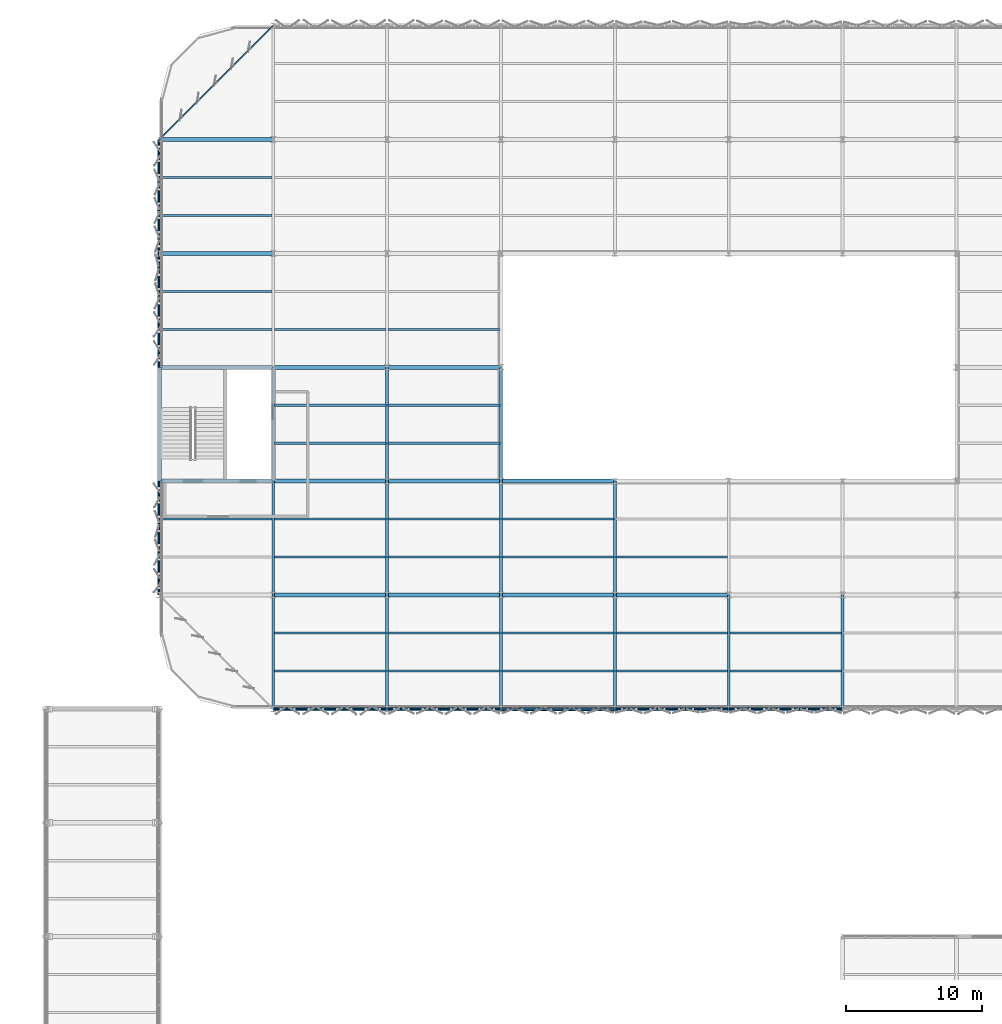
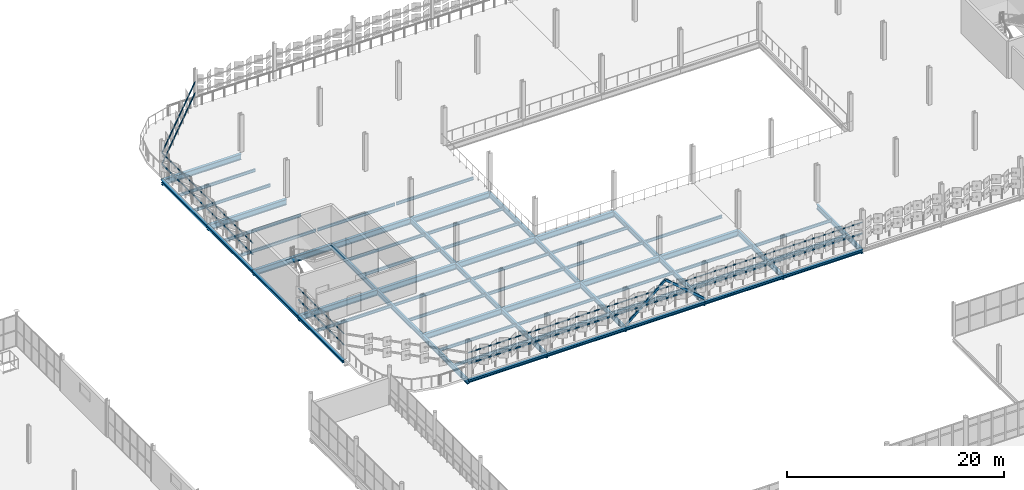
# One storey, part 90 of 163: 81 beams, 2 members.
"""IFC4 building model written with IfcOpenShell, lengths in metres."""

from ifc_helpers import new_model, si_unit, direction, frame, origin, origin_2d, place, context, subcontext, project, spatial, hollow_rectangle, i_section, extrude, material, material_profile, profile_set, type_object, element, save


model = new_model("IFC4")

# Units and contexts
model_context = context("Model", 3, precision=1e-05, world=origin(), true_north=direction((0.0, 1.0)))
body_context = subcontext(model_context, "Body", "Model", "MODEL_VIEW")
ifc_project = project(units=[si_unit("LENGTHUNIT", "METRE"), si_unit("AREAUNIT", "SQUARE_METRE"), si_unit("VOLUMEUNIT", "CUBIC_METRE"), si_unit("PLANEANGLEUNIT", "RADIAN"), si_unit("MASSUNIT", "GRAM", prefix="KILO")], contexts=[model_context])

# Site, building, storey
site_placement = place(None, origin())
site = spatial("IfcSite", under=ifc_project, at=site_placement, CompositionType="ELEMENT")
building_placement = place(site_placement, origin())
building = spatial("IfcBuilding", under=site, at=building_placement, Name="Qalvenar Corner Mobility Hub", CompositionType="ELEMENT")
storey_placement = place(building_placement, frame((0.0, 0.0, 4.800048828125)))
storey = spatial("IfcBuildingStorey", under=building, at=storey_placement, Name="L01", CompositionType="ELEMENT", Elevation=4.800048828125)

# Beams
ifc_material = material(Name="Steel S355", Category="steel")
ifc_material_profile_1 = material_profile(ifc_material, i_section(OverallWidth=0.300048828125, OverallDepth=0.639892578125, WebThickness=0.013427734375, FlangeThickness=0.02587890625, FilletRadius=0.027099609375, at=origin_2d()), Name="HEA650")
ifc_profile_set_1 = profile_set([ifc_material_profile_1], Name="Steel S355")
beam_type_1 = type_object("IfcBeamType", Name="BM-HEA650", PredefinedType="BEAM", material=ifc_profile_set_1)
beam_1_placement = place(storey_placement, frame((67.199951171875, 75.60009765625, -0.56005859375), z_axis=(1.0, 0.0, 0.0), x_axis=(0.0, 1.0, 0.0)))
element("IfcBeam", 1, at=beam_1_placement, inside=storey, type_object=beam_type_1, Name="Primary Steel Girder GX-1265", PredefinedType="BEAM", context=body_context, shape_type="SweptSolid", body=[
    extrude(i_section(OverallWidth=0.300048828125, OverallDepth=0.639892578125, WebThickness=0.013427734375, FlangeThickness=0.02587890625, FilletRadius=0.027099609375, at=origin_2d()), origin(), (0.0, 0.0, 1.0), 8.400146484375),
])
for number, where, z_axis, x_axis, name in (
    (2, (75.60009765625, 75.60009765625, -0.56005859375), (1.0, 0.0, 0.0), (0.0, 1.0, 0.0), "Primary Steel Girder GX-1266"),
    (3, (84.0, 75.60009765625, -0.56005859375), (1.0, 0.0, 0.0), (0.0, 1.0, 0.0), "Primary Steel Girder GX-1267"),
):
    element("IfcBeam", number, at=place(storey_placement, frame(where, z_axis=z_axis, x_axis=x_axis)), inside=storey, type_object=beam_type_1, Name=name, PredefinedType="BEAM", context=body_context, shape_type="SweptSolid", body=[
        extrude(i_section(OverallWidth=0.300048828125, OverallDepth=0.639892578125, WebThickness=0.013427734375, FlangeThickness=0.02587890625, FilletRadius=0.027099609375, at=origin_2d()), origin(), (0.0, 0.0, 1.0), 8.39990234375),
    ])
beam_2_placement = place(storey_placement, frame((92.39990234375, 75.60009765625, -0.56005859375), z_axis=(1.0, 0.0, 0.0), x_axis=(0.0, 1.0, 0.0)))
element("IfcBeam", 4, at=beam_2_placement, inside=storey, type_object=beam_type_1, Name="Primary Steel Girder GX-1268", PredefinedType="BEAM", context=body_context, shape_type="SweptSolid", body=[
    extrude(i_section(OverallWidth=0.300048828125, OverallDepth=0.639892578125, WebThickness=0.013427734375, FlangeThickness=0.02587890625, FilletRadius=0.027099609375, at=origin_2d()), origin(), (0.0, 0.0, 1.0), 8.400146484375),
])
beam_3_placement = place(storey_placement, frame((58.800048828125, 84.0, -0.56005859375), z_axis=(1.0, 0.0, 0.0), x_axis=(0.0, 1.0, 0.0)))
element("IfcBeam", 5, at=beam_3_placement, inside=storey, type_object=beam_type_1, Name="Primary Steel Girder GX-1274", PredefinedType="BEAM", context=body_context, shape_type="SweptSolid", body=[
    extrude(i_section(OverallWidth=0.300048828125, OverallDepth=0.639892578125, WebThickness=0.013427734375, FlangeThickness=0.02587890625, FilletRadius=0.027099609375, at=origin_2d()), origin(), (0.0, 0.0, 1.0), 8.39990234375),
])
beam_4_placement = place(storey_placement, frame((67.199951171875, 84.0, -0.56005859375), z_axis=(1.0, 0.0, 0.0), x_axis=(0.0, 1.0, 0.0)))
element("IfcBeam", 6, at=beam_4_placement, inside=storey, type_object=beam_type_1, Name="Primary Steel Girder GX-1275", PredefinedType="BEAM", context=body_context, shape_type="SweptSolid", body=[
    extrude(i_section(OverallWidth=0.300048828125, OverallDepth=0.639892578125, WebThickness=0.013427734375, FlangeThickness=0.02587890625, FilletRadius=0.027099609375, at=origin_2d()), origin(), (0.0, 0.0, 1.0), 8.400146484375),
])
for number, where, z_axis, x_axis, name in (
    (7, (75.60009765625, 84.0, -0.56005859375), (1.0, 0.0, 0.0), (0.0, 1.0, 0.0), "Primary Steel Girder GX-1276"),
    (8, (84.0, 84.0, -0.56005859375), (1.0, 0.0, 0.0), (0.0, 1.0, 0.0), "Primary Steel Girder GX-1277"),
    (9, (58.800048828125, 92.39990234375, -0.56005859375), (1.0, 0.0, 0.0), (0.0, 1.0, 0.0), "Primary Steel Girder GX-1284"),
):
    element("IfcBeam", number, at=place(storey_placement, frame(where, z_axis=z_axis, x_axis=x_axis)), inside=storey, type_object=beam_type_1, Name=name, PredefinedType="BEAM", context=body_context, shape_type="SweptSolid", body=[
        extrude(i_section(OverallWidth=0.300048828125, OverallDepth=0.639892578125, WebThickness=0.013427734375, FlangeThickness=0.02587890625, FilletRadius=0.027099609375, at=origin_2d()), origin(), (0.0, 0.0, 1.0), 8.39990234375),
    ])
beam_5_placement = place(storey_placement, frame((67.199951171875, 92.39990234375, -0.56005859375), z_axis=(1.0, 0.0, 0.0), x_axis=(0.0, 1.0, 0.0)))
element("IfcBeam", 10, at=beam_5_placement, inside=storey, type_object=beam_type_1, Name="Primary Steel Girder GX-1285", PredefinedType="BEAM", context=body_context, shape_type="SweptSolid", body=[
    extrude(i_section(OverallWidth=0.300048828125, OverallDepth=0.639892578125, WebThickness=0.013427734375, FlangeThickness=0.02587890625, FilletRadius=0.027099609375, at=origin_2d()), origin(), (0.0, 0.0, 1.0), 8.400146484375),
])
for number, where, z_axis, x_axis, name in (
    (11, (75.60009765625, 92.39990234375, -0.56005859375), (1.0, 0.0, 0.0), (0.0, 1.0, 0.0), "Primary Steel Girder GX-1286"),
    (12, (58.800048828125, 100.800048828125, -0.56005859375), (1.0, 0.0, 0.0), (0.0, 1.0, 0.0), "Primary Steel Girder GX-1290"),
    (13, (58.800048828125, 109.199951171875, -0.56005859375), (1.0, 0.0, 0.0), (0.0, 1.0, 0.0), "Primary Steel Girder GX-1300"),
):
    element("IfcBeam", number, at=place(storey_placement, frame(where, z_axis=z_axis, x_axis=x_axis)), inside=storey, type_object=beam_type_1, Name=name, PredefinedType="BEAM", context=body_context, shape_type="SweptSolid", body=[
        extrude(i_section(OverallWidth=0.300048828125, OverallDepth=0.639892578125, WebThickness=0.013427734375, FlangeThickness=0.02587890625, FilletRadius=0.027099609375, at=origin_2d()), origin(), (0.0, 0.0, 1.0), 8.39990234375),
    ])
ifc_material_profile_2 = material_profile(ifc_material, i_section(OverallWidth=0.2099609375, OverallDepth=0.550048828125, WebThickness=0.010986328125, FlangeThickness=0.01708984375, FilletRadius=0.02392578125, at=origin_2d()), Name="IPE550")
ifc_profile_set_2 = profile_set([ifc_material_profile_2], Name="Steel S355")
beam_type_2 = type_object("IfcBeamType", Name="BM-IPE550", PredefinedType="BEAM", material=ifc_profile_set_2)
beam_6_placement = place(storey_placement, frame((67.199951171875, 67.199951171875, -0.51513671875), z_axis=(0.0, 1.0, 0.0), x_axis=(-1.0, 0.0, 0.0)))
element("IfcBeam", 14, at=beam_6_placement, inside=storey, type_object=beam_type_2, Name="Primary Steel Girder GY-1322", PredefinedType="BEAM", context=body_context, shape_type="SweptSolid", body=[
    extrude(i_section(OverallWidth=0.2099609375, OverallDepth=0.550048828125, WebThickness=0.010986328125, FlangeThickness=0.01708984375, FilletRadius=0.02392578125, at=origin_2d()), origin(), (0.0, 0.0, 1.0), 8.400146484375),
])
for number, where, z_axis, x_axis, name in (
    (15, (67.199951171875, 75.60009765625, -0.51513671875), (0.0, 1.0, 0.0), (-1.0, 0.0, 0.0), "Primary Steel Girder GY-1323"),
    (16, (67.199951171875, 84.0, -0.51513671875), (0.0, 1.0, 0.0), (-1.0, 0.0, 0.0), "Primary Steel Girder GY-1324"),
):
    element("IfcBeam", number, at=place(storey_placement, frame(where, z_axis=z_axis, x_axis=x_axis)), inside=storey, type_object=beam_type_2, Name=name, PredefinedType="BEAM", context=body_context, shape_type="SweptSolid", body=[
        extrude(i_section(OverallWidth=0.2099609375, OverallDepth=0.550048828125, WebThickness=0.010986328125, FlangeThickness=0.01708984375, FilletRadius=0.02392578125, at=origin_2d()), origin(), (0.0, 0.0, 1.0), 8.39990234375),
    ])
beam_7_placement = place(storey_placement, frame((75.60009765625, 67.199951171875, -0.51513671875), z_axis=(0.0, 1.0, 0.0), x_axis=(-1.0, 0.0, 0.0)))
element("IfcBeam", 17, at=beam_7_placement, inside=storey, type_object=beam_type_2, Name="Primary Steel Girder GY-1328", PredefinedType="BEAM", context=body_context, shape_type="SweptSolid", body=[
    extrude(i_section(OverallWidth=0.2099609375, OverallDepth=0.550048828125, WebThickness=0.010986328125, FlangeThickness=0.01708984375, FilletRadius=0.02392578125, at=origin_2d()), origin(), (0.0, 0.0, 1.0), 8.400146484375),
])
for number, where, z_axis, x_axis, name in (
    (18, (75.60009765625, 75.60009765625, -0.51513671875), (0.0, 1.0, 0.0), (-1.0, 0.0, 0.0), "Primary Steel Girder GY-1329"),
    (19, (75.60009765625, 84.0, -0.51513671875), (0.0, 1.0, 0.0), (-1.0, 0.0, 0.0), "Primary Steel Girder GY-1330"),
):
    element("IfcBeam", number, at=place(storey_placement, frame(where, z_axis=z_axis, x_axis=x_axis)), inside=storey, type_object=beam_type_2, Name=name, PredefinedType="BEAM", context=body_context, shape_type="SweptSolid", body=[
        extrude(i_section(OverallWidth=0.2099609375, OverallDepth=0.550048828125, WebThickness=0.010986328125, FlangeThickness=0.01708984375, FilletRadius=0.02392578125, at=origin_2d()), origin(), (0.0, 0.0, 1.0), 8.39990234375),
    ])
beam_8_placement = place(storey_placement, frame((84.0, 67.199951171875, -0.51513671875), z_axis=(0.0, 1.0, 0.0), x_axis=(-1.0, 0.0, 0.0)))
element("IfcBeam", 20, at=beam_8_placement, inside=storey, type_object=beam_type_2, Name="Primary Steel Girder GY-1334", PredefinedType="BEAM", context=body_context, shape_type="SweptSolid", body=[
    extrude(i_section(OverallWidth=0.2099609375, OverallDepth=0.550048828125, WebThickness=0.010986328125, FlangeThickness=0.01708984375, FilletRadius=0.02392578125, at=origin_2d()), origin(), (0.0, 0.0, 1.0), 8.400146484375),
])
for number, where, z_axis, x_axis, name in (
    (21, (84.0, 75.60009765625, -0.51513671875), (0.0, 1.0, 0.0), (-1.0, 0.0, 0.0), "Primary Steel Girder GY-1335"),
    (22, (84.0, 84.0, -0.51513671875), (0.0, 1.0, 0.0), (-1.0, 0.0, 0.0), "Primary Steel Girder GY-1336"),
):
    element("IfcBeam", number, at=place(storey_placement, frame(where, z_axis=z_axis, x_axis=x_axis)), inside=storey, type_object=beam_type_2, Name=name, PredefinedType="BEAM", context=body_context, shape_type="SweptSolid", body=[
        extrude(i_section(OverallWidth=0.2099609375, OverallDepth=0.550048828125, WebThickness=0.010986328125, FlangeThickness=0.01708984375, FilletRadius=0.02392578125, at=origin_2d()), origin(), (0.0, 0.0, 1.0), 8.39990234375),
    ])
beam_9_placement = place(storey_placement, frame((92.39990234375, 67.199951171875, -0.51513671875), z_axis=(0.0, 1.0, 0.0), x_axis=(-1.0, 0.0, 0.0)))
element("IfcBeam", 23, at=beam_9_placement, inside=storey, type_object=beam_type_2, Name="Primary Steel Girder GY-1340", PredefinedType="BEAM", context=body_context, shape_type="SweptSolid", body=[
    extrude(i_section(OverallWidth=0.2099609375, OverallDepth=0.550048828125, WebThickness=0.010986328125, FlangeThickness=0.01708984375, FilletRadius=0.02392578125, at=origin_2d()), origin(), (0.0, 0.0, 1.0), 8.400146484375),
])
beam_10_placement = place(storey_placement, frame((92.39990234375, 75.60009765625, -0.51513671875), z_axis=(0.0, 1.0, 0.0), x_axis=(-1.0, 0.0, 0.0)))
element("IfcBeam", 24, at=beam_10_placement, inside=storey, type_object=beam_type_2, Name="Primary Steel Girder GY-1341", PredefinedType="BEAM", context=body_context, shape_type="SweptSolid", body=[
    extrude(i_section(OverallWidth=0.2099609375, OverallDepth=0.550048828125, WebThickness=0.010986328125, FlangeThickness=0.01708984375, FilletRadius=0.02392578125, at=origin_2d()), origin(), (0.0, 0.0, 1.0), 8.39990234375),
])
for number, where, z_axis, x_axis, name in (
    (25, (100.800048828125, 67.199951171875, -0.51513671875), (0.0, 1.0, 0.0), (-1.0, 0.0, 0.0), "Primary Steel Girder GY-1344"),
    (26, (109.199951171875, 67.199951171875, -0.51513671875), (0.0, 1.0, 0.0), (-1.0, 0.0, 0.0), "Primary Steel Girder GY-1348"),
):
    element("IfcBeam", number, at=place(storey_placement, frame(where, z_axis=z_axis, x_axis=x_axis)), inside=storey, type_object=beam_type_2, Name=name, PredefinedType="BEAM", context=body_context, shape_type="SweptSolid", body=[
        extrude(i_section(OverallWidth=0.2099609375, OverallDepth=0.550048828125, WebThickness=0.010986328125, FlangeThickness=0.01708984375, FilletRadius=0.02392578125, at=origin_2d()), origin(), (0.0, 0.0, 1.0), 8.400146484375),
    ])
ifc_material_profile_3 = material_profile(ifc_material, i_section(OverallWidth=0.159912109375, OverallDepth=0.330078125, WebThickness=0.007568359375, FlangeThickness=0.011474609375, FilletRadius=0.01806640625, at=origin_2d()), Name="IPE330")
ifc_profile_set_3 = profile_set([ifc_material_profile_3], Name="Steel S355")
beam_type_3 = type_object("IfcBeamType", Name="BM-JST330", PredefinedType="JOIST", material=ifc_profile_set_3)
for number, where, z_axis, x_axis, name in (
    (27, (58.8779296875, 81.199951171875, -0.405029296875), (1.0, 0.0, 0.0), (0.0, 1.0, 0.0), "Composite Floor Joist J-1375"),
    (28, (58.8779296875, 95.199951171875, -0.405029296875), (1.0, 0.0, 0.0), (0.0, 1.0, 0.0), "Composite Floor Joist J-1376"),
    (29, (58.8779296875, 98.0, -0.405029296875), (1.0, 0.0, 0.0), (0.0, 1.0, 0.0), "Composite Floor Joist J-1377"),
    (30, (58.8779296875, 103.60009765625, -0.405029296875), (1.0, 0.0, 0.0), (0.0, 1.0, 0.0), "Composite Floor Joist J-1378"),
    (31, (58.8779296875, 106.39990234375, -0.405029296875), (1.0, 0.0, 0.0), (0.0, 1.0, 0.0), "Composite Floor Joist J-1379"),
):
    element("IfcBeam", number, at=place(storey_placement, frame(where, z_axis=z_axis, x_axis=x_axis)), inside=storey, type_object=beam_type_3, Name=name, PredefinedType="JOIST", context=body_context, shape_type="SweptSolid", body=[
        extrude(i_section(OverallWidth=0.159912109375, OverallDepth=0.330078125, WebThickness=0.007568359375, FlangeThickness=0.011474609375, FilletRadius=0.01806640625, at=origin_2d()), origin(), (0.0, 0.0, 1.0), 8.244140625),
    ])
for number, where, z_axis, x_axis, name in (
    (32, (67.278076171875, 70.0, -0.405029296875), (1.0, 0.0, 0.0), (0.0, 1.0, 0.0), "Composite Floor Joist J-1380"),
    (33, (67.278076171875, 72.800048828125, -0.405029296875), (1.0, 0.0, 0.0), (0.0, 1.0, 0.0), "Composite Floor Joist J-1381"),
    (34, (67.278076171875, 78.39990234375, -0.405029296875), (1.0, 0.0, 0.0), (0.0, 1.0, 0.0), "Composite Floor Joist J-1382"),
    (35, (67.278076171875, 81.199951171875, -0.405029296875), (1.0, 0.0, 0.0), (0.0, 1.0, 0.0), "Composite Floor Joist J-1383"),
    (36, (67.278076171875, 86.800048828125, -0.405029296875), (1.0, 0.0, 0.0), (0.0, 1.0, 0.0), "Composite Floor Joist J-1384"),
    (37, (67.278076171875, 89.60009765625, -0.405029296875), (1.0, 0.0, 0.0), (0.0, 1.0, 0.0), "Composite Floor Joist J-1385"),
    (38, (67.278076171875, 95.199951171875, -0.405029296875), (1.0, 0.0, 0.0), (0.0, 1.0, 0.0), "Composite Floor Joist J-1386"),
):
    element("IfcBeam", number, at=place(storey_placement, frame(where, z_axis=z_axis, x_axis=x_axis)), inside=storey, type_object=beam_type_3, Name=name, PredefinedType="JOIST", context=body_context, shape_type="SweptSolid", body=[
        extrude(i_section(OverallWidth=0.159912109375, OverallDepth=0.330078125, WebThickness=0.007568359375, FlangeThickness=0.011474609375, FilletRadius=0.01806640625, at=origin_2d()), origin(), (0.0, 0.0, 1.0), 8.243896484375),
    ])
for number, where, z_axis, x_axis, name in (
    (39, (75.677978515625, 70.0, -0.405029296875), (1.0, 0.0, 0.0), (0.0, 1.0, 0.0), "Composite Floor Joist J-1392"),
    (40, (75.677978515625, 72.800048828125, -0.405029296875), (1.0, 0.0, 0.0), (0.0, 1.0, 0.0), "Composite Floor Joist J-1393"),
    (41, (75.677978515625, 78.39990234375, -0.405029296875), (1.0, 0.0, 0.0), (0.0, 1.0, 0.0), "Composite Floor Joist J-1394"),
    (42, (75.677978515625, 81.199951171875, -0.405029296875), (1.0, 0.0, 0.0), (0.0, 1.0, 0.0), "Composite Floor Joist J-1395"),
    (43, (75.677978515625, 86.800048828125, -0.405029296875), (1.0, 0.0, 0.0), (0.0, 1.0, 0.0), "Composite Floor Joist J-1396"),
    (44, (75.677978515625, 89.60009765625, -0.405029296875), (1.0, 0.0, 0.0), (0.0, 1.0, 0.0), "Composite Floor Joist J-1397"),
    (45, (75.677978515625, 95.199951171875, -0.405029296875), (1.0, 0.0, 0.0), (0.0, 1.0, 0.0), "Composite Floor Joist J-1398"),
    (46, (84.077880859375, 70.0, -0.405029296875), (1.0, 0.0, 0.0), (0.0, 1.0, 0.0), "Composite Floor Joist J-1404"),
    (47, (84.077880859375, 72.800048828125, -0.405029296875), (1.0, 0.0, 0.0), (0.0, 1.0, 0.0), "Composite Floor Joist J-1405"),
    (48, (84.077880859375, 78.39990234375, -0.405029296875), (1.0, 0.0, 0.0), (0.0, 1.0, 0.0), "Composite Floor Joist J-1406"),
    (49, (84.077880859375, 81.199951171875, -0.405029296875), (1.0, 0.0, 0.0), (0.0, 1.0, 0.0), "Composite Floor Joist J-1407"),
):
    element("IfcBeam", number, at=place(storey_placement, frame(where, z_axis=z_axis, x_axis=x_axis)), inside=storey, type_object=beam_type_3, Name=name, PredefinedType="JOIST", context=body_context, shape_type="SweptSolid", body=[
        extrude(i_section(OverallWidth=0.159912109375, OverallDepth=0.330078125, WebThickness=0.007568359375, FlangeThickness=0.011474609375, FilletRadius=0.01806640625, at=origin_2d()), origin(), (0.0, 0.0, 1.0), 8.244140625),
    ])
for number, where, z_axis, x_axis, name in (
    (50, (92.47802734375, 70.0, -0.405029296875), (1.0, 0.0, 0.0), (0.0, 1.0, 0.0), "Composite Floor Joist J-1412"),
    (51, (92.47802734375, 72.800048828125, -0.405029296875), (1.0, 0.0, 0.0), (0.0, 1.0, 0.0), "Composite Floor Joist J-1413"),
    (52, (92.47802734375, 78.39990234375, -0.405029296875), (1.0, 0.0, 0.0), (0.0, 1.0, 0.0), "Composite Floor Joist J-1414"),
):
    element("IfcBeam", number, at=place(storey_placement, frame(where, z_axis=z_axis, x_axis=x_axis)), inside=storey, type_object=beam_type_3, Name=name, PredefinedType="JOIST", context=body_context, shape_type="SweptSolid", body=[
        extrude(i_section(OverallWidth=0.159912109375, OverallDepth=0.330078125, WebThickness=0.007568359375, FlangeThickness=0.011474609375, FilletRadius=0.01806640625, at=origin_2d()), origin(), (0.0, 0.0, 1.0), 8.243896484375),
    ])
for number, where, z_axis, x_axis, name in (
    (53, (100.8779296875, 70.0, -0.405029296875), (1.0, 0.0, 0.0), (0.0, 1.0, 0.0), "Composite Floor Joist J-1420"),
    (54, (100.8779296875, 72.800048828125, -0.405029296875), (1.0, 0.0, 0.0), (0.0, 1.0, 0.0), "Composite Floor Joist J-1421"),
):
    element("IfcBeam", number, at=place(storey_placement, frame(where, z_axis=z_axis, x_axis=x_axis)), inside=storey, type_object=beam_type_3, Name=name, PredefinedType="JOIST", context=body_context, shape_type="SweptSolid", body=[
        extrude(i_section(OverallWidth=0.159912109375, OverallDepth=0.330078125, WebThickness=0.007568359375, FlangeThickness=0.011474609375, FilletRadius=0.01806640625, at=origin_2d()), origin(), (0.0, 0.0, 1.0), 8.244140625),
    ])
ifc_material_profile_4 = material_profile(ifc_material, i_section(OverallWidth=0.300048828125, OverallDepth=0.31005859375, WebThickness=0.009033203125, FlangeThickness=0.015380859375, FilletRadius=0.027099609375, at=origin_2d()), Name="HEA320")
ifc_profile_set_4 = profile_set([ifc_material_profile_4], Name="Steel S355")
beam_type_4 = type_object("IfcBeamType", Name="BM-SPN320", PredefinedType="SPANDREL", material=ifc_profile_set_4)
for number, where, z_axis, x_axis, name in (
    (55, (58.800048828125, 75.60009765625, -0.39501953125), (0.0, 1.0, 0.0), (-1.0, 0.0, 0.0), "Primary Steel Girder GY-1318"),
    (56, (58.800048828125, 84.0, -0.39501953125), (0.0, 1.0, 0.0), (-1.0, 0.0, 0.0), "Primary Steel Girder GY-1319"),
):
    element("IfcBeam", number, at=place(storey_placement, frame(where, z_axis=z_axis, x_axis=x_axis)), inside=storey, type_object=beam_type_4, Name=name, PredefinedType="SPANDREL", context=body_context, shape_type="SweptSolid", body=[
        extrude(i_section(OverallWidth=0.300048828125, OverallDepth=0.31005859375, WebThickness=0.009033203125, FlangeThickness=0.015380859375, FilletRadius=0.027099609375, at=origin_2d()), origin(), (0.0, 0.0, 1.0), 8.39990234375),
    ])
beam_11_placement = place(storey_placement, frame((58.800048828125, 92.39990234375, -0.39501953125), z_axis=(0.0, 1.0, 0.0), x_axis=(-1.0, 0.0, 0.0)))
element("IfcBeam", 57, at=beam_11_placement, inside=storey, type_object=beam_type_4, Name="Primary Steel Girder GY-1320", PredefinedType="SPANDREL", context=body_context, shape_type="SweptSolid", body=[
    extrude(i_section(OverallWidth=0.300048828125, OverallDepth=0.31005859375, WebThickness=0.009033203125, FlangeThickness=0.015380859375, FilletRadius=0.027099609375, at=origin_2d()), origin(), (0.0, 0.0, 1.0), 8.400146484375),
])
beam_12_placement = place(storey_placement, frame((58.800048828125, 100.800048828125, -0.39501953125), z_axis=(0.0, 1.0, 0.0), x_axis=(-1.0, 0.0, 0.0)))
element("IfcBeam", 58, at=beam_12_placement, inside=storey, type_object=beam_type_4, Name="Primary Steel Girder GY-1321", PredefinedType="SPANDREL", context=body_context, shape_type="SweptSolid", body=[
    extrude(i_section(OverallWidth=0.300048828125, OverallDepth=0.31005859375, WebThickness=0.009033203125, FlangeThickness=0.015380859375, FilletRadius=0.027099609375, at=origin_2d()), origin(), (0.0, 0.0, 1.0), 8.39990234375),
])
ifc_material_profile_5 = material_profile(ifc_material, i_section(OverallWidth=0.300048828125, OverallDepth=0.330078125, WebThickness=0.009521484375, FlangeThickness=0.0166015625, FilletRadius=0.027099609375, at=origin_2d()), Name="HEA340")
ifc_profile_set_5 = profile_set([ifc_material_profile_5], Name="Steel S355")
beam_type_5 = type_object("IfcBeamType", Name="BM-SPN340", PredefinedType="SPANDREL", material=ifc_profile_set_5)
beam_13_placement = place(storey_placement, frame((67.199951171875, 67.199951171875, -0.405029296875), z_axis=(1.0, 0.0, 0.0), x_axis=(0.0, 1.0, 0.0)))
element("IfcBeam", 59, at=beam_13_placement, inside=storey, type_object=beam_type_5, Name="Primary Steel Girder GX-1256", PredefinedType="SPANDREL", context=body_context, shape_type="SweptSolid", body=[
    extrude(i_section(OverallWidth=0.300048828125, OverallDepth=0.330078125, WebThickness=0.009521484375, FlangeThickness=0.0166015625, FilletRadius=0.027099609375, at=origin_2d()), origin(), (0.0, 0.0, 1.0), 8.400146484375),
])
for number, where, z_axis, x_axis, name in (
    (60, (75.60009765625, 67.199951171875, -0.405029296875), (1.0, 0.0, 0.0), (0.0, 1.0, 0.0), "Primary Steel Girder GX-1257"),
    (61, (84.0, 67.199951171875, -0.405029296875), (1.0, 0.0, 0.0), (0.0, 1.0, 0.0), "Primary Steel Girder GX-1258"),
):
    element("IfcBeam", number, at=place(storey_placement, frame(where, z_axis=z_axis, x_axis=x_axis)), inside=storey, type_object=beam_type_5, Name=name, PredefinedType="SPANDREL", context=body_context, shape_type="SweptSolid", body=[
        extrude(i_section(OverallWidth=0.300048828125, OverallDepth=0.330078125, WebThickness=0.009521484375, FlangeThickness=0.0166015625, FilletRadius=0.027099609375, at=origin_2d()), origin(), (0.0, 0.0, 1.0), 8.39990234375),
    ])
beam_14_placement = place(storey_placement, frame((92.39990234375, 67.199951171875, -0.405029296875), z_axis=(1.0, 0.0, 0.0), x_axis=(0.0, 1.0, 0.0)))
element("IfcBeam", 62, at=beam_14_placement, inside=storey, type_object=beam_type_5, Name="Primary Steel Girder GX-1259", PredefinedType="SPANDREL", context=body_context, shape_type="SweptSolid", body=[
    extrude(i_section(OverallWidth=0.300048828125, OverallDepth=0.330078125, WebThickness=0.009521484375, FlangeThickness=0.0166015625, FilletRadius=0.027099609375, at=origin_2d()), origin(), (0.0, 0.0, 1.0), 8.400146484375),
])
beam_15_placement = place(storey_placement, frame((100.800048828125, 67.199951171875, -0.405029296875), z_axis=(1.0, 0.0, 0.0), x_axis=(0.0, 1.0, 0.0)))
element("IfcBeam", 63, at=beam_15_placement, inside=storey, type_object=beam_type_5, Name="Primary Steel Girder GX-1260", PredefinedType="SPANDREL", context=body_context, shape_type="SweptSolid", body=[
    extrude(i_section(OverallWidth=0.300048828125, OverallDepth=0.330078125, WebThickness=0.009521484375, FlangeThickness=0.0166015625, FilletRadius=0.027099609375, at=origin_2d()), origin(), (0.0, 0.0, 1.0), 8.39990234375),
])

# Members
ifc_material_profile_6 = material_profile(ifc_material, hollow_rectangle(XDim=0.14990234375, YDim=0.25, WallThickness=0.010009765625, InnerFilletRadius=0.010009765625, OuterFilletRadius=0.02001953125, at=origin_2d()), Name="RHS250x150x10")
ifc_profile_set_6 = profile_set([ifc_material_profile_6], Name="Steel S355")
member_type = type_object("IfcMemberType", Name="BR-RHS250", PredefinedType="BRACE", material=ifc_profile_set_6)
for number, where, z_axis, x_axis, name in (
    (64, (84.0, 67.199951171875, 0.02001953125), (0.757479038629, 0.0, 0.652859484145), (0.0, 1.0, 0.0), "Chevron Lateral Brace BR-023"),
    (65, (92.39990234375, 67.199951171875, 0.02001953125), (-0.757479038629, 0.0, 0.652859484145), (0.0, -1.0, 0.0), "Chevron Lateral Brace BR-024"),
):
    element("IfcMember", number, at=place(storey_placement, frame(where, z_axis=z_axis, x_axis=x_axis)), inside=storey, type_object=member_type, Name=name, PredefinedType="BRACE", context=body_context, shape_type="SweptSolid", body=[
        extrude(hollow_rectangle(XDim=0.14990234375, YDim=0.25, WallThickness=0.010009765625, InnerFilletRadius=0.010009765625, OuterFilletRadius=0.02001953125, at=origin_2d()), origin(), (0.0, 0.0, 1.0), 5.544677734375),
    ])

# Beams
ifc_material_profile_7 = material_profile(ifc_material, hollow_rectangle(XDim=0.080078125, YDim=0.1201171875, WallThickness=0.0048828125, InnerFilletRadius=0.0048828125, OuterFilletRadius=0.010009765625, at=origin_2d()), Name="RHS120x80x5")
ifc_profile_set_7 = profile_set([ifc_material_profile_7], Name="Steel S355")
beam_type_6 = type_object("IfcBeamType", Name="FR-RAIL120", PredefinedType="SPANDREL", material=ifc_profile_set_7)
beam_16_placement = place(storey_placement, frame((67.199951171875, 67.199951171875, 2.75), z_axis=(1.0, 0.0, 0.0), x_axis=(0.0, 1.0, 0.0)))
element("IfcBeam", 66, at=beam_16_placement, inside=storey, type_object=beam_type_6, Name="Facade Hinge Support Rail FR-L01-0002", PredefinedType="SPANDREL", context=body_context, shape_type="SweptSolid", body=[
    extrude(hollow_rectangle(XDim=0.080078125, YDim=0.1201171875, WallThickness=0.0048828125, InnerFilletRadius=0.0048828125, OuterFilletRadius=0.010009765625, at=origin_2d()), origin(), (0.0, 0.0, 1.0), 8.400146484375),
])
for number, where, z_axis, x_axis, name in (
    (67, (75.60009765625, 67.199951171875, 2.75), (1.0, 0.0, 0.0), (0.0, 1.0, 0.0), "Facade Hinge Support Rail FR-L01-0004"),
    (68, (84.0, 67.199951171875, 2.75), (1.0, 0.0, 0.0), (0.0, 1.0, 0.0), "Facade Hinge Support Rail FR-L01-0006"),
):
    element("IfcBeam", number, at=place(storey_placement, frame(where, z_axis=z_axis, x_axis=x_axis)), inside=storey, type_object=beam_type_6, Name=name, PredefinedType="SPANDREL", context=body_context, shape_type="SweptSolid", body=[
        extrude(hollow_rectangle(XDim=0.080078125, YDim=0.1201171875, WallThickness=0.0048828125, InnerFilletRadius=0.0048828125, OuterFilletRadius=0.010009765625, at=origin_2d()), origin(), (0.0, 0.0, 1.0), 8.39990234375),
    ])
beam_17_placement = place(storey_placement, frame((92.39990234375, 67.199951171875, 2.75), z_axis=(1.0, 0.0, 0.0), x_axis=(0.0, 1.0, 0.0)))
element("IfcBeam", 69, at=beam_17_placement, inside=storey, type_object=beam_type_6, Name="Facade Hinge Support Rail FR-L01-0008", PredefinedType="SPANDREL", context=body_context, shape_type="SweptSolid", body=[
    extrude(hollow_rectangle(XDim=0.080078125, YDim=0.1201171875, WallThickness=0.0048828125, InnerFilletRadius=0.0048828125, OuterFilletRadius=0.010009765625, at=origin_2d()), origin(), (0.0, 0.0, 1.0), 8.400146484375),
])
for number, where, z_axis, x_axis, name in (
    (70, (100.800048828125, 67.199951171875, 2.75), (1.0, 0.0, 0.0), (0.0, 1.0, 0.0), "Facade Hinge Support Rail FR-L01-0010"),
    (71, (58.800048828125, 84.0, 2.75), (0.0, -1.0, 0.0), (1.0, 0.0, 0.0), "Facade Hinge Support Rail FR-L01-0034"),
    (72, (58.800048828125, 109.199951171875, 2.75), (0.0, -1.0, 0.0), (1.0, 0.0, 0.0), "Facade Hinge Support Rail FR-L01-0036"),
):
    element("IfcBeam", number, at=place(storey_placement, frame(where, z_axis=z_axis, x_axis=x_axis)), inside=storey, type_object=beam_type_6, Name=name, PredefinedType="SPANDREL", context=body_context, shape_type="SweptSolid", body=[
        extrude(hollow_rectangle(XDim=0.080078125, YDim=0.1201171875, WallThickness=0.0048828125, InnerFilletRadius=0.0048828125, OuterFilletRadius=0.010009765625, at=origin_2d()), origin(), (0.0, 0.0, 1.0), 8.39990234375),
    ])
beam_18_placement = place(storey_placement, frame((58.800048828125, 100.800048828125, 2.75), z_axis=(0.0, -1.0, 0.0), x_axis=(1.0, 0.0, 0.0)))
element("IfcBeam", 73, at=beam_18_placement, inside=storey, type_object=beam_type_6, Name="Facade Hinge Support Rail FR-L01-0038", PredefinedType="SPANDREL", context=body_context, shape_type="SweptSolid", body=[
    extrude(hollow_rectangle(XDim=0.080078125, YDim=0.1201171875, WallThickness=0.0048828125, InnerFilletRadius=0.0048828125, OuterFilletRadius=0.010009765625, at=origin_2d()), origin(), (0.0, 0.0, 1.0), 8.400146484375),
])
ifc_material_profile_8 = material_profile(ifc_material, hollow_rectangle(XDim=0.10009765625, YDim=0.14990234375, WallThickness=0.00634765625, InnerFilletRadius=0.00634765625, OuterFilletRadius=0.0126953125, at=origin_2d()), Name="RHS150x100x6.3")
ifc_profile_set_8 = profile_set([ifc_material_profile_8], Name="Steel S355")
beam_type_7 = type_object("IfcBeamType", Name="FR-RAIL150", PredefinedType="SPANDREL", material=ifc_profile_set_8)
beam_19_placement = place(storey_placement, frame((67.199951171875, 67.199951171875, 1.5), z_axis=(1.0, 0.0, 0.0), x_axis=(0.0, 1.0, 0.0)))
element("IfcBeam", 74, at=beam_19_placement, inside=storey, type_object=beam_type_7, Name="Facade Hinge Support Rail FR-L01-0001", PredefinedType="SPANDREL", context=body_context, shape_type="SweptSolid", body=[
    extrude(hollow_rectangle(XDim=0.10009765625, YDim=0.14990234375, WallThickness=0.00634765625, InnerFilletRadius=0.00634765625, OuterFilletRadius=0.0126953125, at=origin_2d()), origin(), (0.0, 0.0, 1.0), 8.400146484375),
])
for number, where, z_axis, x_axis, name in (
    (75, (75.60009765625, 67.199951171875, 1.5), (1.0, 0.0, 0.0), (0.0, 1.0, 0.0), "Facade Hinge Support Rail FR-L01-0003"),
    (76, (84.0, 67.199951171875, 1.5), (1.0, 0.0, 0.0), (0.0, 1.0, 0.0), "Facade Hinge Support Rail FR-L01-0005"),
):
    element("IfcBeam", number, at=place(storey_placement, frame(where, z_axis=z_axis, x_axis=x_axis)), inside=storey, type_object=beam_type_7, Name=name, PredefinedType="SPANDREL", context=body_context, shape_type="SweptSolid", body=[
        extrude(hollow_rectangle(XDim=0.10009765625, YDim=0.14990234375, WallThickness=0.00634765625, InnerFilletRadius=0.00634765625, OuterFilletRadius=0.0126953125, at=origin_2d()), origin(), (0.0, 0.0, 1.0), 8.39990234375),
    ])
beam_20_placement = place(storey_placement, frame((92.39990234375, 67.199951171875, 1.5), z_axis=(1.0, 0.0, 0.0), x_axis=(0.0, 1.0, 0.0)))
element("IfcBeam", 77, at=beam_20_placement, inside=storey, type_object=beam_type_7, Name="Facade Hinge Support Rail FR-L01-0007", PredefinedType="SPANDREL", context=body_context, shape_type="SweptSolid", body=[
    extrude(hollow_rectangle(XDim=0.10009765625, YDim=0.14990234375, WallThickness=0.00634765625, InnerFilletRadius=0.00634765625, OuterFilletRadius=0.0126953125, at=origin_2d()), origin(), (0.0, 0.0, 1.0), 8.400146484375),
])
for number, where, z_axis, x_axis, name in (
    (78, (100.800048828125, 67.199951171875, 1.5), (1.0, 0.0, 0.0), (0.0, 1.0, 0.0), "Facade Hinge Support Rail FR-L01-0009"),
    (79, (58.800048828125, 84.0, 1.5), (0.0, -1.0, 0.0), (1.0, 0.0, 0.0), "Facade Hinge Support Rail FR-L01-0033"),
    (80, (58.800048828125, 109.199951171875, 1.5), (0.0, -1.0, 0.0), (1.0, 0.0, 0.0), "Facade Hinge Support Rail FR-L01-0035"),
):
    element("IfcBeam", number, at=place(storey_placement, frame(where, z_axis=z_axis, x_axis=x_axis)), inside=storey, type_object=beam_type_7, Name=name, PredefinedType="SPANDREL", context=body_context, shape_type="SweptSolid", body=[
        extrude(hollow_rectangle(XDim=0.10009765625, YDim=0.14990234375, WallThickness=0.00634765625, InnerFilletRadius=0.00634765625, OuterFilletRadius=0.0126953125, at=origin_2d()), origin(), (0.0, 0.0, 1.0), 8.39990234375),
    ])
beam_21_placement = place(storey_placement, frame((58.800048828125, 100.800048828125, 1.5), z_axis=(0.0, -1.0, 0.0), x_axis=(1.0, 0.0, 0.0)))
element("IfcBeam", 81, at=beam_21_placement, inside=storey, type_object=beam_type_7, Name="Facade Hinge Support Rail FR-L01-0037", PredefinedType="SPANDREL", context=body_context, shape_type="SweptSolid", body=[
    extrude(hollow_rectangle(XDim=0.10009765625, YDim=0.14990234375, WallThickness=0.00634765625, InnerFilletRadius=0.00634765625, OuterFilletRadius=0.0126953125, at=origin_2d()), origin(), (0.0, 0.0, 1.0), 8.400146484375),
])
for number, where, z_axis, x_axis, name in (
    (82, (67.199951171875, 117.60009765625, 1.5), (-0.707096505339, -0.707117056885, 0.0), (0.707117056885, -0.707096505339, 0.0), "Corner Facade Rail FRC-L01-0047"),
    (83, (67.199951171875, 117.60009765625, 2.75), (-0.707096505339, -0.707117056885, 0.0), (0.707117056885, -0.707096505339, 0.0), "Corner Facade Rail FRC-L01-0048"),
):
    element("IfcBeam", number, at=place(storey_placement, frame(where, z_axis=z_axis, x_axis=x_axis)), inside=storey, type_object=beam_type_7, Name=name, PredefinedType="SPANDREL", context=body_context, shape_type="SweptSolid", body=[
        extrude(hollow_rectangle(XDim=0.10009765625, YDim=0.14990234375, WallThickness=0.00634765625, InnerFilletRadius=0.00634765625, OuterFilletRadius=0.0126953125, at=origin_2d()), origin(), (0.0, 0.0, 1.0), 11.87939453125),
    ])

save(model, "model.ifc")
